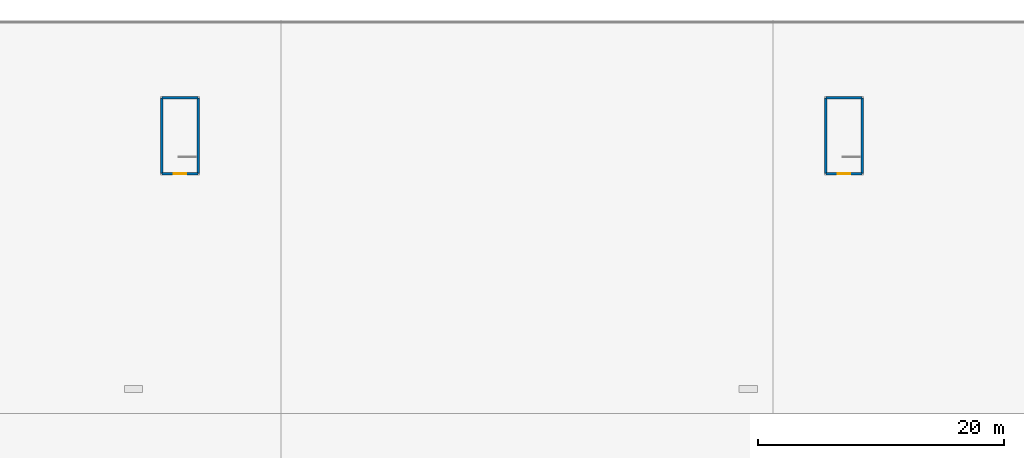
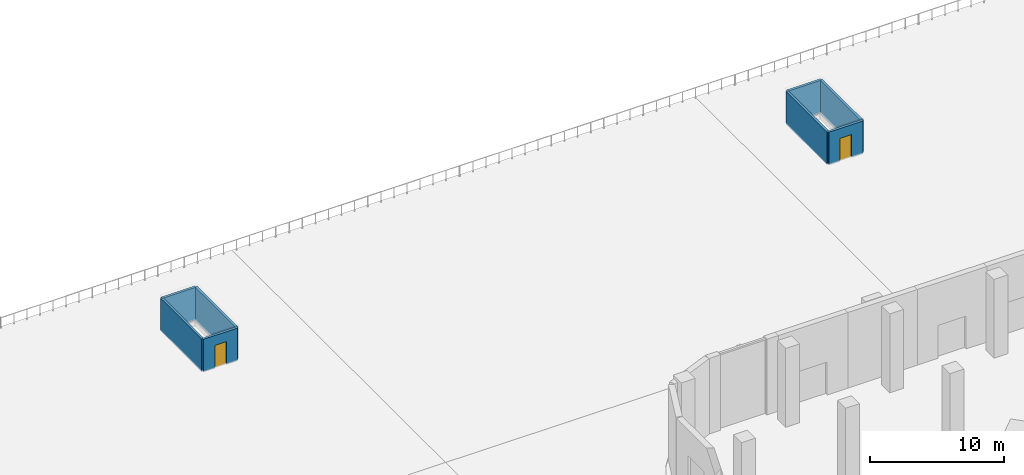
# One storey, part 33 of 48: 8 walls, 2 doors, 2 openings.
"""IFC4 building model written with IfcOpenShell, lengths in metres."""

from ifc_helpers import new_model, si_unit, direction, frame, frame_2d, origin, place, context, subcontext, project, spatial, rectangle, extrude, material, layer, layer_set, type_object, element, fill, save


model = new_model("IFC4")

# Units and contexts
model_context = context("Model", 3, precision=1e-05, world=origin(), true_north=direction((0.0, 1.0)))
body_context = subcontext(model_context, "Body", "Model", "MODEL_VIEW")
ifc_project = project(units=[si_unit("LENGTHUNIT", "METRE"), si_unit("AREAUNIT", "SQUARE_METRE"), si_unit("VOLUMEUNIT", "CUBIC_METRE"), si_unit("PLANEANGLEUNIT", "RADIAN"), si_unit("MASSUNIT", "GRAM", prefix="KILO")], contexts=[model_context])

# Site, building, storey
site_placement = place(None, origin())
site = spatial("IfcSite", under=ifc_project, at=site_placement, CompositionType="ELEMENT")
building_placement = place(site_placement, origin())
building = spatial("IfcBuilding", under=site, at=building_placement, Name="Ogive Gate Towers", CompositionType="ELEMENT")
storey_placement = place(building_placement, origin())
storey = spatial("IfcBuildingStorey", under=building, at=storey_placement, Name="L00", CompositionType="ELEMENT", Elevation=0.0)

# Wall, opening, door
ifc_material_1 = material(Name="Concrete C32/40", Category="concrete")
ifc_layer = layer(ifc_material_1, 0.199951171875)
ifc_layer_set = layer_set([ifc_layer], Name="Stair house wall 200")
wall_type = type_object("IfcWallType", Name="Stair house wall 200", PredefinedType="SOLIDWALL", material=ifc_layer_set)
wall_1_placement = place(storey_placement, frame((-94.75, 63.5, 0.0), z_axis=(0.0, 0.0, 1.0), x_axis=(-1.0, 0.0, 0.0)))
wall_1 = element("IfcWall", 1, at=wall_1_placement, inside=storey, type_object=wall_type, Name="CS1 stair house wall 1", PredefinedType="SOLIDWALL", context=body_context, shape_type="SweptSolid", body=[
    extrude(rectangle(XDim=2.949951171875, YDim=0.199951171875, at=frame_2d((1.47509765625, 0.0))), origin(), (0.0, 0.0, 1.0), 3.0),
])
opening_1_placement = place(wall_1_placement, frame((0.97509765625, 0.0, 0.0)))
opening_1 = element("IfcOpeningElement", 2, at=opening_1_placement, cuts=wall_1, Name="Opening CPD31-L00", PredefinedType="OPENING", context=body_context, shape_type="SweptSolid", body=[
    extrude(rectangle(XDim=1.0, YDim=2.10009765625, at=frame_2d((0.5, 1.050048828125))), frame((0.0, 0.10986328125, 0.0), z_axis=(0.0, -1.0, 0.0), x_axis=(1.0, 0.0, 0.0)), (0.0, 0.0, 1.0), 0.219970703125),
])
ifc_material_2 = material(Name="Painted steel door", Category="steel")
door_type = type_object("IfcDoorType", Name="Stair house door 1000 x 2100", OperationType="SINGLE_SWING_LEFT", PredefinedType="DOOR", material=ifc_material_2)
door_1_placement = place(opening_1_placement, origin())
door_1 = element("IfcDoor", 3, at=door_1_placement, inside=storey, type_object=door_type, Name="Door CS1 discharge", OperationType="SINGLE_SWING_LEFT", OverallHeight=2.10009765625, OverallWidth=1.0, PredefinedType="DOOR", context=body_context, shape_type="SweptSolid", body=[
    extrude(rectangle(XDim=1.0, YDim=2.10009765625, at=frame_2d((0.5, 1.050048828125))), frame((0.0, 0.02490234375, 0.0), z_axis=(0.0, -1.0, 0.0), x_axis=(1.0, 0.0, 0.0)), (0.0, 0.0, 1.0), 0.050048828125),
])
fill(opening_1, door_1)

# Walls
wall_2_placement = place(storey_placement, frame((-97.699951171875, 63.5, 0.0), z_axis=(0.0, 0.0, 1.0), x_axis=(0.0, 1.0, 0.0)))
element("IfcWall", 4, at=wall_2_placement, inside=storey, type_object=wall_type, Name="CS1 stair house wall 2", PredefinedType="SOLIDWALL", context=body_context, shape_type="SweptSolid", body=[
    extrude(rectangle(XDim=6.159912109375, YDim=0.199951171875, at=frame_2d((3.080078125, 0.0))), origin(), (0.0, 0.0, 1.0), 3.0),
])
wall_3_placement = place(storey_placement, frame((-97.699951171875, 69.659912109375, 0.0), z_axis=(0.0, 0.0, 1.0), x_axis=(1.0, 0.0, 0.0)))
element("IfcWall", 5, at=wall_3_placement, inside=storey, type_object=wall_type, Name="CS1 stair house wall 3", PredefinedType="SOLIDWALL", context=body_context, shape_type="SweptSolid", body=[
    extrude(rectangle(XDim=2.949951171875, YDim=0.199951171875, at=frame_2d((1.47509765625, 0.0))), origin(), (0.0, 0.0, 1.0), 3.0),
])
wall_4_placement = place(storey_placement, frame((-94.75, 69.659912109375, 0.0), z_axis=(0.0, 0.0, 1.0), x_axis=(0.0, -1.0, 0.0)))
element("IfcWall", 6, at=wall_4_placement, inside=storey, type_object=wall_type, Name="CS1 stair house wall 4", PredefinedType="SOLIDWALL", context=body_context, shape_type="SweptSolid", body=[
    extrude(rectangle(XDim=6.159912109375, YDim=0.199951171875, at=frame_2d((3.080078125, 0.0))), origin(), (0.0, 0.0, 1.0), 3.0),
])

# Wall, opening, door
wall_5_placement = place(storey_placement, frame((-40.75, 63.5, 0.0), z_axis=(0.0, 0.0, 1.0), x_axis=(-1.0, 0.0, 0.0)))
wall_5 = element("IfcWall", 7, at=wall_5_placement, inside=storey, type_object=wall_type, Name="CS2 stair house wall 1", PredefinedType="SOLIDWALL", context=body_context, shape_type="SweptSolid", body=[
    extrude(rectangle(XDim=2.949951171875, YDim=0.199951171875, at=frame_2d((1.47509765625, 0.0))), origin(), (0.0, 0.0, 1.0), 3.0),
])
opening_2_placement = place(wall_5_placement, frame((0.97509765625, 0.0, 0.0)))
opening_2 = element("IfcOpeningElement", 8, at=opening_2_placement, cuts=wall_5, Name="Opening CPD32-L00", PredefinedType="OPENING", context=body_context, shape_type="SweptSolid", body=[
    extrude(rectangle(XDim=1.0, YDim=2.10009765625, at=frame_2d((0.5, 1.050048828125))), frame((0.0, 0.10986328125, 0.0), z_axis=(0.0, -1.0, 0.0), x_axis=(1.0, 0.0, 0.0)), (0.0, 0.0, 1.0), 0.219970703125),
])
door_2_placement = place(opening_2_placement, origin())
door_2 = element("IfcDoor", 9, at=door_2_placement, inside=storey, type_object=door_type, Name="Door CS2 discharge", OperationType="SINGLE_SWING_LEFT", OverallHeight=2.10009765625, OverallWidth=1.0, PredefinedType="DOOR", context=body_context, shape_type="SweptSolid", body=[
    extrude(rectangle(XDim=1.0, YDim=2.10009765625, at=frame_2d((0.5, 1.050048828125))), frame((0.0, 0.02490234375, 0.0), z_axis=(0.0, -1.0, 0.0), x_axis=(1.0, 0.0, 0.0)), (0.0, 0.0, 1.0), 0.050048828125),
])
fill(opening_2, door_2)

# Walls
wall_6_placement = place(storey_placement, frame((-43.699951171875, 63.5, 0.0), z_axis=(0.0, 0.0, 1.0), x_axis=(0.0, 1.0, 0.0)))
element("IfcWall", 10, at=wall_6_placement, inside=storey, type_object=wall_type, Name="CS2 stair house wall 2", PredefinedType="SOLIDWALL", context=body_context, shape_type="SweptSolid", body=[
    extrude(rectangle(XDim=6.159912109375, YDim=0.199951171875, at=frame_2d((3.080078125, 0.0))), origin(), (0.0, 0.0, 1.0), 3.0),
])
wall_7_placement = place(storey_placement, frame((-43.699951171875, 69.659912109375, 0.0), z_axis=(0.0, 0.0, 1.0), x_axis=(1.0, 0.0, 0.0)))
element("IfcWall", 11, at=wall_7_placement, inside=storey, type_object=wall_type, Name="CS2 stair house wall 3", PredefinedType="SOLIDWALL", context=body_context, shape_type="SweptSolid", body=[
    extrude(rectangle(XDim=2.949951171875, YDim=0.199951171875, at=frame_2d((1.47509765625, 0.0))), origin(), (0.0, 0.0, 1.0), 3.0),
])
wall_8_placement = place(storey_placement, frame((-40.75, 69.659912109375, 0.0), z_axis=(0.0, 0.0, 1.0), x_axis=(0.0, -1.0, 0.0)))
element("IfcWall", 12, at=wall_8_placement, inside=storey, type_object=wall_type, Name="CS2 stair house wall 4", PredefinedType="SOLIDWALL", context=body_context, shape_type="SweptSolid", body=[
    extrude(rectangle(XDim=6.159912109375, YDim=0.199951171875, at=frame_2d((3.080078125, 0.0))), origin(), (0.0, 0.0, 1.0), 3.0),
])

save(model, "model.ifc")
